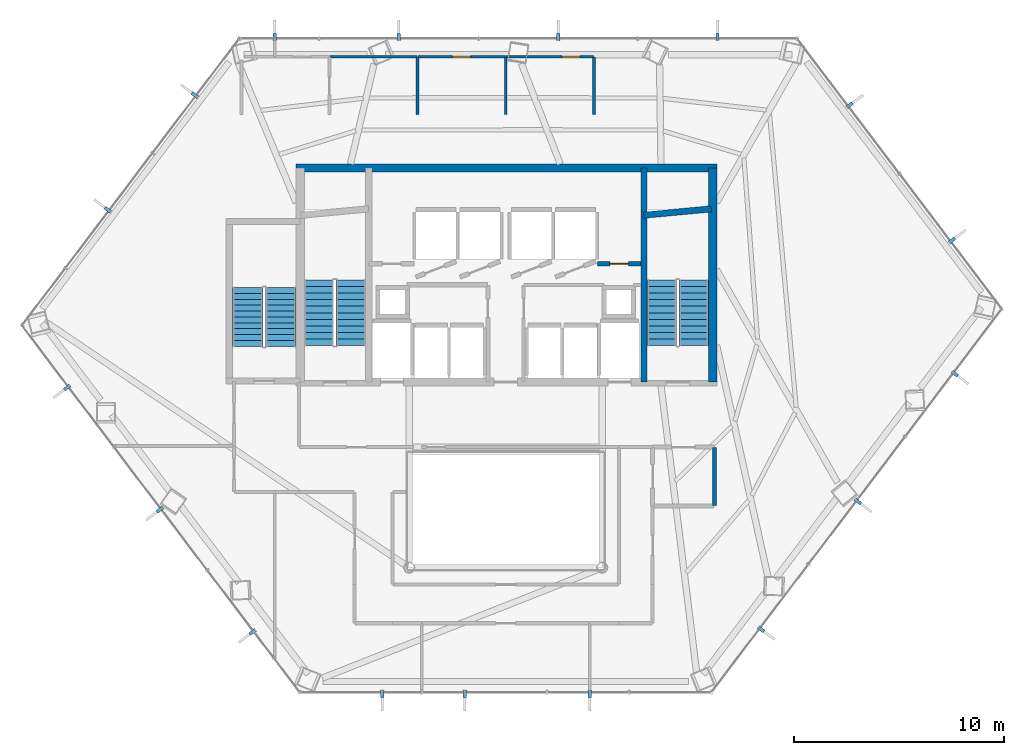
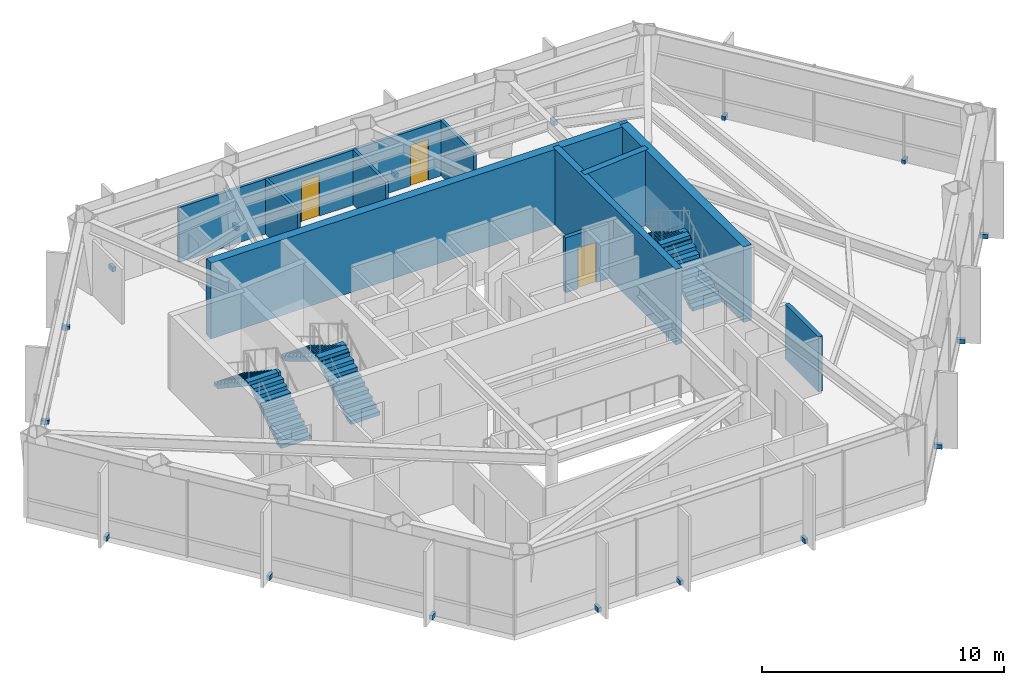
# One storey, part 25 of 26: 17 discrete accessories, 12 walls, 6 stair flights, 3 doors, 3 openings, 3 elements without a shape of their own.
"""IFC4 building model written with IfcOpenShell, lengths in metres."""

from ifc_helpers import new_model, si_unit, direction, frame, frame_2d, origin, origin_2d, place, context, subcontext, project, spatial, polyline, rectangle, outline, extrude, material, layer, layer_set, type_object, element, fill, aggregate, save


model = new_model("IFC4")

# Units and contexts
model_context = context("Model", 3, precision=1e-05, world=origin(), true_north=direction((0.0, 1.0)))
body_context = subcontext(model_context, "Body", "Model", "MODEL_VIEW")
ifc_project = project(units=[si_unit("LENGTHUNIT", "METRE"), si_unit("AREAUNIT", "SQUARE_METRE"), si_unit("VOLUMEUNIT", "CUBIC_METRE"), si_unit("PLANEANGLEUNIT", "RADIAN"), si_unit("MASSUNIT", "GRAM", prefix="KILO")], contexts=[model_context])

# Site, building, storey
site_placement = place(None, origin())
site = spatial("IfcSite", under=ifc_project, at=site_placement, CompositionType="ELEMENT")
building_placement = place(site_placement, origin())
building = spatial("IfcBuilding", under=site, at=building_placement, Name="Zarrinselat Tower", CompositionType="ELEMENT")
storey_placement = place(building_placement, frame((0.0, 0.0, 92.820068359375)))
storey = spatial("IfcBuildingStorey", under=building, at=storey_placement, Name="L22", CompositionType="ELEMENT", Elevation=92.820068359375)

# Wall
ifc_material_1 = material(Name="Concrete C40/50", Category="concrete")
ifc_layer_1 = layer(ifc_material_1, 0.18994140625)
ifc_layer_set_1 = layer_set([ifc_layer_1], Name="Concrete C40/50")
wall_type_1 = type_object("IfcWallType", Name="WAL-PART-EI120", PredefinedType="PARTITIONING", material=ifc_layer_set_1)
wall_1_placement = place(storey_placement, frame((48.35009765625, 27.3701171875, 0.0), z_axis=(0.0, 0.0, 1.0), x_axis=(0.0, 1.0, 0.0)))
element("IfcWall", 1, at=wall_1_placement, inside=storey, type_object=wall_type_1, Name="L22 Partition Wall 15", PredefinedType="PARTITIONING", context=body_context, shape_type="SweptSolid", body=[
    extrude(rectangle(XDim=2.759765625, YDim=0.18994140625, at=frame_2d((1.3798828125, 0.0))), origin(), (0.0, 0.0, 1.0), 2.77685546875),
])

# Wall, opening, door
ifc_material_2 = material(Name="Concrete C40/50", Category="concrete")
ifc_layer_2 = layer(ifc_material_2, 0.199951171875)
ifc_layer_set_2 = layer_set([ifc_layer_2], Name="Concrete C40/50")
wall_type_2 = type_object("IfcWallType", Name="WAL-PART-PLANT", PredefinedType="PARTITIONING", material=ifc_layer_set_2)
wall_2_placement = place(storey_placement, frame((42.764892578125, 38.889892578125, 0.0), z_axis=(0.0, 0.0, 1.0), x_axis=(1.0, 0.0, 0.0)))
wall_2 = element("IfcWall", 2, at=wall_2_placement, inside=storey, type_object=wall_type_2, Name="L22 Partition Wall 4", PredefinedType="PARTITIONING", context=body_context, shape_type="SweptSolid", body=[
    extrude(rectangle(XDim=2.070068359375, YDim=0.199951171875, at=frame_2d((1.03515625, 0.0))), origin(), (0.0, 0.0, 1.0), 2.77685546875),
])
opening_1_placement = place(wall_2_placement, frame((0.594970703125, 0.0, 0.0)))
opening_1 = element("IfcOpeningElement", 3, at=opening_1_placement, cuts=wall_2, Name="Opening ID-03", PredefinedType="OPENING", context=body_context, shape_type="SweptSolid", body=[
    extrude(rectangle(XDim=0.8798828125, YDim=2.050048828125, at=frame_2d((0.43994140625, 1.02490234375))), frame((0.0, 0.10986328125, 0.0), z_axis=(0.0, -1.0, 0.0), x_axis=(1.0, 0.0, 0.0)), (0.0, 0.0, 1.0), 0.219970703125),
])
ifc_material_3 = material(Name="Steel S355J2", Category="steel")
door_type_1 = type_object("IfcDoorType", Name="DR-INT-FD60-S", OperationType="NOTDEFINED", PredefinedType="DOOR", material=ifc_material_3)
door_1_placement = place(opening_1_placement, origin())
door_1 = element("IfcDoor", 4, at=door_1_placement, inside=storey, type_object=door_type_1, Name="L22 Interior Door P4", OperationType="SINGLE_SWING_RIGHT", OverallHeight=2.050048828125, OverallWidth=0.8798828125, PredefinedType="DOOR", context=body_context, shape_type="SweptSolid", body=[
    extrude(rectangle(XDim=0.8798828125, YDim=2.050048828125, at=frame_2d((0.43994140625, 1.02490234375))), frame((0.0, 0.02490234375, 0.0), z_axis=(0.0, -1.0, 0.0), x_axis=(1.0, 0.0, 0.0)), (0.0, 0.0, 1.0), 0.050048828125),
])
fill(opening_1, door_1)

# Walls
ifc_material_4 = material(Name="Fire-Rated Gypsum Board Partition", Category="gypsum")
ifc_layer_3 = layer(ifc_material_4, 0.135009765625)
ifc_layer_set_3 = layer_set([ifc_layer_3], Name="Fire-Rated Gypsum Board Partition")
wall_type_3 = type_object("IfcWallType", Name="WAL-PART-WET", PredefinedType="PARTITIONING", material=ifc_layer_set_3)
wall_3_placement = place(storey_placement, frame((34.199951171875, 46.0, 0.0), z_axis=(0.0, 0.0, 1.0), x_axis=(0.0, 1.0, 0.0)))
element("IfcWall", 5, at=wall_3_placement, inside=storey, type_object=wall_type_3, Name="L22 Partition Wall 38", PredefinedType="PARTITIONING", context=body_context, shape_type="SweptSolid", body=[
    extrude(rectangle(XDim=2.72998046875, YDim=0.135009765625, at=frame_2d((1.364990234375, 0.0))), origin(), (0.0, 0.0, 1.0), 2.77685546875),
])
wall_4_placement = place(storey_placement, frame((30.02001953125, 48.75, 0.0), z_axis=(0.0, 0.0, 1.0), x_axis=(1.0, 0.0, 0.0)))
element("IfcWall", 6, at=wall_4_placement, inside=storey, type_object=wall_type_3, Name="L22 Partition Wall 39", PredefinedType="PARTITIONING", context=body_context, shape_type="SweptSolid", body=[
    extrude(rectangle(XDim=4.159912109375, YDim=0.135009765625, at=frame_2d((2.080078125, 0.0))), origin(), (0.0, 0.0, 1.0), 2.77685546875),
])
wall_5_placement = place(storey_placement, frame((38.39990234375, 46.0, 0.0), z_axis=(0.0, 0.0, 1.0), x_axis=(0.0, 1.0, 0.0)))
element("IfcWall", 7, at=wall_5_placement, inside=storey, type_object=wall_type_3, Name="L22 Partition Wall 40", PredefinedType="PARTITIONING", context=body_context, shape_type="SweptSolid", body=[
    extrude(rectangle(XDim=2.72998046875, YDim=0.135009765625, at=frame_2d((1.364990234375, 0.0))), origin(), (0.0, 0.0, 1.0), 2.77685546875),
])

# Wall, opening, door
wall_6_placement = place(storey_placement, frame((34.219970703125, 48.75, 0.0), z_axis=(0.0, 0.0, 1.0), x_axis=(1.0, 0.0, 0.0)))
wall_6 = element("IfcWall", 8, at=wall_6_placement, inside=storey, type_object=wall_type_3, Name="L22 Partition Wall 41", PredefinedType="PARTITIONING", context=body_context, shape_type="SweptSolid", body=[
    extrude(rectangle(XDim=4.159912109375, YDim=0.135009765625, at=frame_2d((2.080078125, 0.0))), origin(), (0.0, 0.0, 1.0), 2.77685546875),
])
opening_2_placement = place(wall_6_placement, frame((1.64990234375, 0.0, 0.0)))
opening_2 = element("IfcOpeningElement", 9, at=opening_2_placement, cuts=wall_6, Name="Opening ID-06", PredefinedType="OPENING", context=body_context, shape_type="SweptSolid", body=[
    extrude(rectangle(XDim=0.860107421875, YDim=2.050048828125, at=frame_2d((0.43017578125, 1.02490234375))), frame((0.0, 0.077392578125, 0.0), z_axis=(0.0, -1.0, 0.0), x_axis=(1.0, 0.0, 0.0)), (0.0, 0.0, 1.0), 0.155029296875),
])
ifc_material_5 = material(Name="Extruded Aluminium Alloy EN AW-6063 T6", Category="aluminium")
door_type_2 = type_object("IfcDoorType", Name="DR-INT-WET-900", OperationType="NOTDEFINED", PredefinedType="DOOR", material=ifc_material_5)
door_2_placement = place(opening_2_placement, origin())
door_2 = element("IfcDoor", 10, at=door_2_placement, inside=storey, type_object=door_type_2, Name="L22 Interior Door P41", OperationType="SINGLE_SWING_RIGHT", OverallHeight=2.050048828125, OverallWidth=0.860107421875, PredefinedType="DOOR", context=body_context, shape_type="SweptSolid", body=[
    extrude(rectangle(XDim=0.860107421875, YDim=2.050048828125, at=frame_2d((0.43017578125, 1.02490234375))), frame((0.0, 0.02490234375, 0.0), z_axis=(0.0, -1.0, 0.0), x_axis=(1.0, 0.0, 0.0)), (0.0, 0.0, 1.0), 0.050048828125),
])
fill(opening_2, door_2)

wall_7_placement = place(storey_placement, frame((38.419921875, 48.75, 0.0), z_axis=(0.0, 0.0, 1.0), x_axis=(1.0, 0.0, 0.0)))
wall_7 = element("IfcWall", 11, at=wall_7_placement, inside=storey, type_object=wall_type_3, Name="L22 Partition Wall 42", PredefinedType="PARTITIONING", context=body_context, shape_type="SweptSolid", body=[
    extrude(rectangle(XDim=4.16015625, YDim=0.135009765625, at=frame_2d((2.080078125, 0.0))), origin(), (0.0, 0.0, 1.0), 2.77685546875),
])
opening_3_placement = place(wall_7_placement, frame((2.64990234375, 0.0, 0.0)))
opening_3 = element("IfcOpeningElement", 12, at=opening_3_placement, cuts=wall_7, Name="Opening ID-06", PredefinedType="OPENING", context=body_context, shape_type="SweptSolid", body=[
    extrude(rectangle(XDim=0.860107421875, YDim=2.050048828125, at=frame_2d((0.43017578125, 1.02490234375))), frame((0.0, 0.077392578125, 0.0), z_axis=(0.0, -1.0, 0.0), x_axis=(1.0, 0.0, 0.0)), (0.0, 0.0, 1.0), 0.155029296875),
])
door_3_placement = place(opening_3_placement, origin())
door_3 = element("IfcDoor", 13, at=door_3_placement, inside=storey, type_object=door_type_2, Name="L22 Interior Door P42", OperationType="SINGLE_SWING_LEFT", OverallHeight=2.050048828125, OverallWidth=0.860107421875, PredefinedType="DOOR", context=body_context, shape_type="SweptSolid", body=[
    extrude(rectangle(XDim=0.860107421875, YDim=2.050048828125, at=frame_2d((0.43017578125, 1.02490234375))), frame((0.0, 0.02490234375, 0.0), z_axis=(0.0, -1.0, 0.0), x_axis=(1.0, 0.0, 0.0)), (0.0, 0.0, 1.0), 0.050048828125),
])
fill(opening_3, door_3)

# Walls
wall_8_placement = place(storey_placement, frame((42.60009765625, 46.0, 0.0), z_axis=(0.0, 0.0, 1.0), x_axis=(0.0, 1.0, 0.0)))
element("IfcWall", 14, at=wall_8_placement, inside=storey, type_object=wall_type_3, Name="L22 Partition Wall 43", PredefinedType="PARTITIONING", context=body_context, shape_type="SweptSolid", body=[
    extrude(rectangle(XDim=2.72998046875, YDim=0.135009765625, at=frame_2d((1.364990234375, 0.0))), origin(), (0.0, 0.0, 1.0), 2.77685546875),
])
ifc_material_6 = material(Name="Concrete C40/50", Category="concrete")
ifc_layer_4 = layer(ifc_material_6, 0.300048828125)
ifc_layer_set_4 = layer_set([ifc_layer_4], Name="Concrete C40/50")
wall_type_4 = type_object("IfcWallType", Name="WAL-SHEAR-300", PredefinedType="SHEAR", material=ifc_layer_set_4)
wall_9_placement = place(storey_placement, frame((44.989990234375, 33.25, 0.0), z_axis=(0.0, 0.0, 1.0), x_axis=(0.0, 1.0, 0.0)))
element("IfcWall", 15, at=wall_9_placement, inside=storey, type_object=wall_type_4, Name="L22 Core Shear Wall ST2W", PredefinedType="SHEAR", context=body_context, shape_type="SweptSolid", body=[
    extrude(rectangle(XDim=10.199951171875, YDim=0.300048828125, at=frame_2d((5.10009765625, 0.0))), origin(), (0.0, 0.0, 1.0), 3.81982421875),
])
wall_10_placement = place(storey_placement, frame((44.97998046875, 41.199951171875, 0.0), z_axis=(0.0, 0.0, 1.0), x_axis=(0.995686468965, 0.09278176286, 0.0)))
element("IfcWall", 16, at=wall_10_placement, inside=storey, type_object=wall_type_4, Name="L22 Stair 2 North Shaft Wall", PredefinedType="SHEAR", context=body_context, shape_type="SweptSolid", body=[
    extrude(rectangle(XDim=3.23388671875, YDim=0.300048828125, at=frame_2d((1.616943359375, 0.0))), origin(), (0.0, 0.0, 1.0), 3.81982421875),
])
ifc_material_7 = material(Name="Concrete C60/75", Category="concrete")
ifc_layer_5 = layer(ifc_material_7, 0.39990234375)
ifc_layer_set_5 = layer_set([ifc_layer_5], Name="Concrete C60/75")
wall_type_5 = type_object("IfcWallType", Name="WAL-SHEAR-400", PredefinedType="SHEAR", material=ifc_layer_set_5)
wall_11_placement = place(storey_placement, frame((28.39990234375, 43.449951171875, 0.0), z_axis=(0.0, 0.0, 1.0), x_axis=(1.0, 0.0, 0.0)))
element("IfcWall", 17, at=wall_11_placement, inside=storey, type_object=wall_type_5, Name="L22 North Core Shear Wall", PredefinedType="SHEAR", context=body_context, shape_type="SweptSolid", body=[
    extrude(rectangle(XDim=20.06005859375, YDim=0.39990234375, at=frame_2d((10.030029296875, 0.0))), origin(), (0.0, 0.0, 1.0), 3.81982421875),
])
wall_12_placement = place(storey_placement, frame((48.260009765625, 33.25, 0.0), z_axis=(0.0, 0.0, 1.0), x_axis=(0.0, 1.0, 0.0)))
element("IfcWall", 18, at=wall_12_placement, inside=storey, type_object=wall_type_5, Name="L22 Core Shear Wall E", PredefinedType="SHEAR", context=body_context, shape_type="SweptSolid", body=[
    extrude(rectangle(XDim=10.199951171875, YDim=0.39990234375, at=frame_2d((5.10009765625, 0.0))), origin(), (0.0, 0.0, 1.0), 3.81982421875),
])

# Stair, stair flights
ifc_material_8 = material(Name="Concrete C40/50", Category="concrete")
stair_type_1 = type_object("IfcStairType", Name="STR-CORE-145", PredefinedType="HALF_TURN_STAIR", material=ifc_material_8)
stair_1_placement = place(storey_placement, origin())
stair_1 = element("IfcStair", 19, at=stair_1_placement, inside=storey, type_object=stair_type_1, Name="L22 Podium & Mid-Tower Exit Stair 3", PredefinedType="HALF_TURN_STAIR")
ifc_material_9 = material(Name="Concrete C40/50", Category="concrete")
stair_flight_type_1 = type_object("IfcStairFlightType", Name="STR-FLT-145", PredefinedType="STRAIGHT", material=ifc_material_9)
stair_flight_1_placement = place(storey_placement, frame((27.675048828125, 34.949951171875, 0.0), z_axis=(0.0, 0.0, 1.0), x_axis=(0.0, 1.0, 0.0)))
stair_flight_1 = element("IfcStairFlight", 20, at=stair_flight_1_placement, type_object=stair_flight_type_1, Name="ST-3 flight 1", NumberOfRisers=11, NumberOfTreads=10, PredefinedType="STRAIGHT", RiserHeight=0.185454545, TreadLength=0.28, context=body_context, shape_type="SweptSolid", body=[
    extrude(outline(polyline([(0.0, 0.0), (0.0, 0.185546875), (0.280029296875, 0.185546875), (0.280029296875, 0.370849609375), (0.56005859375, 0.370849609375), (0.56005859375, 0.556396484375), (0.840087890625, 0.556396484375), (0.840087890625, 0.74169921875), (1.1201171875, 0.74169921875), (1.1201171875, 0.92724609375), (1.39990234375, 0.92724609375), (1.39990234375, 1.11279296875), (1.679931640625, 1.11279296875), (1.679931640625, 1.298095703125), (1.9599609375, 1.298095703125), (1.9599609375, 1.483642578125), (2.239990234375, 1.483642578125), (2.239990234375, 1.669189453125), (2.52001953125, 1.669189453125), (2.52001953125, 1.8544921875), (2.800048828125, 1.8544921875), (2.800048828125, 2.0400390625), (2.800048828125, 1.6748046875), (0.271484375, 0.0), (0.0, 0.0)])), frame((0.0, 0.72509765625, 0.0), z_axis=(0.0, -1.0, 0.0), x_axis=(1.0, 0.0, 0.0)), (0.0, 0.0, 1.0), 1.449951171875),
])
stair_flight_2_placement = place(storey_placement, frame((26.10498046875, 37.75, 2.0400390625), z_axis=(0.0, 0.0, 1.0), x_axis=(0.0, -1.0, 0.0)))
stair_flight_2 = element("IfcStairFlight", 21, at=stair_flight_2_placement, type_object=stair_flight_type_1, Name="ST-3 flight 2", NumberOfRisers=11, NumberOfTreads=10, PredefinedType="STRAIGHT", RiserHeight=0.185454545, TreadLength=0.28, context=body_context, shape_type="SweptSolid", body=[
    extrude(outline(polyline([(0.0, 0.0), (0.0, 0.185546875), (0.280029296875, 0.185546875), (0.280029296875, 0.370849609375), (0.56005859375, 0.370849609375), (0.56005859375, 0.556396484375), (0.840087890625, 0.556396484375), (0.840087890625, 0.74169921875), (1.1201171875, 0.74169921875), (1.1201171875, 0.92724609375), (1.39990234375, 0.92724609375), (1.39990234375, 1.11279296875), (1.679931640625, 1.11279296875), (1.679931640625, 1.298095703125), (1.9599609375, 1.298095703125), (1.9599609375, 1.483642578125), (2.239990234375, 1.483642578125), (2.239990234375, 1.669189453125), (2.52001953125, 1.669189453125), (2.52001953125, 1.8544921875), (2.800048828125, 1.8544921875), (2.800048828125, 2.0400390625), (2.800048828125, 1.6748046875), (0.271484375, 0.0), (0.0, 0.0)])), frame((0.0, 0.72509765625, 0.0), z_axis=(0.0, -1.0, 0.0), x_axis=(1.0, 0.0, 0.0)), (0.0, 0.0, 1.0), 1.449951171875),
])
aggregate(stair_1, [stair_flight_1, stair_flight_2])

ifc_material_10 = material(Name="Concrete C40/50", Category="concrete")
stair_type_2 = type_object("IfcStairType", Name="STR-CORE-155", PredefinedType="HALF_TURN_STAIR", material=ifc_material_10)
stair_2_placement = place(storey_placement, origin())
stair_2 = element("IfcStair", 22, at=stair_2_placement, inside=storey, type_object=stair_type_2, Name="L22 Core Exit Stair 1", PredefinedType="HALF_TURN_STAIR")
ifc_material_11 = material(Name="Concrete C40/50", Category="concrete")
stair_flight_type_2 = type_object("IfcStairFlightType", Name="STR-FLT-155", PredefinedType="STRAIGHT", material=ifc_material_11)
stair_flight_3_placement = place(storey_placement, frame((31.02001953125, 35.0, 0.0), z_axis=(0.0, 0.0, 1.0), x_axis=(0.0, 1.0, 0.0)))
stair_flight_3 = element("IfcStairFlight", 23, at=stair_flight_3_placement, type_object=stair_flight_type_2, Name="ST-1 flight 1", NumberOfRisers=11, NumberOfTreads=10, PredefinedType="STRAIGHT", RiserHeight=0.185454545, TreadLength=0.31, context=body_context, shape_type="SweptSolid", body=[
    extrude(outline(polyline([(0.0, 0.0), (0.0, 0.185546875), (0.31005859375, 0.185546875), (0.31005859375, 0.370849609375), (0.6201171875, 0.370849609375), (0.6201171875, 0.556396484375), (0.929931640625, 0.556396484375), (0.929931640625, 0.74169921875), (1.239990234375, 0.74169921875), (1.239990234375, 0.92724609375), (1.550048828125, 0.92724609375), (1.550048828125, 1.11279296875), (1.860107421875, 1.11279296875), (1.860107421875, 1.298095703125), (2.169921875, 1.298095703125), (2.169921875, 1.483642578125), (2.47998046875, 1.483642578125), (2.47998046875, 1.669189453125), (2.7900390625, 1.669189453125), (2.7900390625, 1.8544921875), (3.10009765625, 1.8544921875), (3.10009765625, 2.0400390625), (3.10009765625, 1.679931640625), (0.2919921875, 0.0), (0.0, 0.0)])), frame((0.0, 0.699951171875, 0.0), z_axis=(0.0, -1.0, 0.0), x_axis=(1.0, 0.0, 0.0)), (0.0, 0.0, 1.0), 1.39990234375),
])
stair_flight_4_placement = place(storey_placement, frame((29.5, 38.10009765625, 2.0400390625), z_axis=(0.0, 0.0, 1.0), x_axis=(0.0, -1.0, 0.0)))
stair_flight_4 = element("IfcStairFlight", 24, at=stair_flight_4_placement, type_object=stair_flight_type_2, Name="ST-1 flight 2", NumberOfRisers=11, NumberOfTreads=10, PredefinedType="STRAIGHT", RiserHeight=0.185454545, TreadLength=0.31, context=body_context, shape_type="SweptSolid", body=[
    extrude(outline(polyline([(0.0, 0.0), (0.0, 0.185546875), (0.31005859375, 0.185546875), (0.31005859375, 0.370849609375), (0.6201171875, 0.370849609375), (0.6201171875, 0.556396484375), (0.929931640625, 0.556396484375), (0.929931640625, 0.74169921875), (1.239990234375, 0.74169921875), (1.239990234375, 0.92724609375), (1.550048828125, 0.92724609375), (1.550048828125, 1.11279296875), (1.860107421875, 1.11279296875), (1.860107421875, 1.298095703125), (2.169921875, 1.298095703125), (2.169921875, 1.483642578125), (2.47998046875, 1.483642578125), (2.47998046875, 1.669189453125), (2.7900390625, 1.669189453125), (2.7900390625, 1.8544921875), (3.10009765625, 1.8544921875), (3.10009765625, 2.0400390625), (3.10009765625, 1.679931640625), (0.2919921875, 0.0), (0.0, 0.0)])), frame((0.0, 0.699951171875, 0.0), z_axis=(0.0, -1.0, 0.0), x_axis=(1.0, 0.0, 0.0)), (0.0, 0.0, 1.0), 1.39990234375),
])
aggregate(stair_2, [stair_flight_3, stair_flight_4])

stair_3_placement = place(storey_placement, origin())
stair_3 = element("IfcStair", 25, at=stair_3_placement, inside=storey, type_object=stair_type_2, Name="L22 Core Exit Stair 2", PredefinedType="HALF_TURN_STAIR")
stair_flight_5_placement = place(storey_placement, frame((47.360107421875, 35.0, 0.0), z_axis=(0.0, 0.0, 1.0), x_axis=(0.0, 1.0, 0.0)))
stair_flight_5 = element("IfcStairFlight", 26, at=stair_flight_5_placement, type_object=stair_flight_type_2, Name="ST-2 flight 1", NumberOfRisers=11, NumberOfTreads=10, PredefinedType="STRAIGHT", RiserHeight=0.185454545, TreadLength=0.31, context=body_context, shape_type="SweptSolid", body=[
    extrude(outline(polyline([(0.0, 0.0), (0.0, 0.185546875), (0.31005859375, 0.185546875), (0.31005859375, 0.370849609375), (0.6201171875, 0.370849609375), (0.6201171875, 0.556396484375), (0.929931640625, 0.556396484375), (0.929931640625, 0.74169921875), (1.239990234375, 0.74169921875), (1.239990234375, 0.92724609375), (1.550048828125, 0.92724609375), (1.550048828125, 1.11279296875), (1.860107421875, 1.11279296875), (1.860107421875, 1.298095703125), (2.169921875, 1.298095703125), (2.169921875, 1.483642578125), (2.47998046875, 1.483642578125), (2.47998046875, 1.669189453125), (2.7900390625, 1.669189453125), (2.7900390625, 1.8544921875), (3.10009765625, 1.8544921875), (3.10009765625, 2.0400390625), (3.10009765625, 1.679931640625), (0.2919921875, 0.0), (0.0, 0.0)])), frame((0.0, 0.699951171875, 0.0), z_axis=(0.0, -1.0, 0.0), x_axis=(1.0, 0.0, 0.0)), (0.0, 0.0, 1.0), 1.39990234375),
])
stair_flight_6_placement = place(storey_placement, frame((45.840087890625, 38.10009765625, 2.0400390625), z_axis=(0.0, 0.0, 1.0), x_axis=(0.0, -1.0, 0.0)))
stair_flight_6 = element("IfcStairFlight", 27, at=stair_flight_6_placement, type_object=stair_flight_type_2, Name="ST-2 flight 2", NumberOfRisers=11, NumberOfTreads=10, PredefinedType="STRAIGHT", RiserHeight=0.185454545, TreadLength=0.31, context=body_context, shape_type="SweptSolid", body=[
    extrude(outline(polyline([(0.0, 0.0), (0.0, 0.185546875), (0.31005859375, 0.185546875), (0.31005859375, 0.370849609375), (0.6201171875, 0.370849609375), (0.6201171875, 0.556396484375), (0.929931640625, 0.556396484375), (0.929931640625, 0.74169921875), (1.239990234375, 0.74169921875), (1.239990234375, 0.92724609375), (1.550048828125, 0.92724609375), (1.550048828125, 1.11279296875), (1.860107421875, 1.11279296875), (1.860107421875, 1.298095703125), (2.169921875, 1.298095703125), (2.169921875, 1.483642578125), (2.47998046875, 1.483642578125), (2.47998046875, 1.669189453125), (2.7900390625, 1.669189453125), (2.7900390625, 1.8544921875), (3.10009765625, 1.8544921875), (3.10009765625, 2.0400390625), (3.10009765625, 1.679931640625), (0.2919921875, 0.0), (0.0, 0.0)])), frame((0.0, 0.699951171875, 0.0), z_axis=(0.0, -1.0, 0.0), x_axis=(1.0, 0.0, 0.0)), (0.0, 0.0, 1.0), 1.39990234375),
])
aggregate(stair_3, [stair_flight_5, stair_flight_6])

# Discrete accessories
ifc_material_12 = material(Name="Steel S355J2", Category="steel")
discrete_accessory_type = type_object("IfcDiscreteAccessoryType", Name="ACC-FIN-BRACKET", PredefinedType="BRACKET", material=ifc_material_12)
for number, where, z_axis, x_axis, name in (
    (28, (48.493408203125, 49.686767578125, -0.05029296875), (0.0, 0.0, 1.0), (0.0, 1.0, 0.0), "L22 Fin Fixing Bracket CW-L22-E01-01"),
    (29, (40.897216796875, 49.686767578125, -0.05029296875), (0.0, 0.0, 1.0), (0.0, 1.0, 0.0), "L22 Fin Fixing Bracket CW-L22-E01-03"),
    (30, (33.30078125, 49.686767578125, -0.05029296875), (0.0, 0.0, 1.0), (0.0, 1.0, 0.0), "L22 Fin Fixing Bracket CW-L22-E01-05"),
    (31, (27.39990234375, 49.686767578125, -0.05029296875), (0.0, 0.0, 1.0), (0.0, 1.0, 0.0), "L22 Fin Fixing Bracket CW-L22-E01-07"),
    (32, (23.577392578125, 46.9248046875, -0.05029296875), (0.0, 0.0, 1.0), (-0.797092658414, 0.603857014451, 0.0), "L22 Fin Fixing Bracket CW-L22-E02-01"),
    (33, (19.4345703125, 41.456298828125, -0.05029296875), (0.0, 0.0, 1.0), (-0.797092658414, 0.603857014451, 0.0), "L22 Fin Fixing Bracket CW-L22-E02-03"),
    (34, (17.499755859375, 32.989013671875, -0.05029296875), (0.0, 0.0, 1.0), (-0.797093079006, -0.603856459269, 0.0), "L22 Fin Fixing Bracket CW-L22-E03-01"),
    (35, (21.915283203125, 27.16064453125, -0.05029296875), (0.0, 0.0, 1.0), (-0.797093079006, -0.603856459269, 0.0), "L22 Fin Fixing Bracket CW-L22-E03-03"),
    (36, (26.330810546875, 21.33203125, -0.05029296875), (0.0, 0.0, 1.0), (-0.797093079006, -0.603856459269, 0.0), "L22 Fin Fixing Bracket CW-L22-E03-05"),
    (37, (32.5166015625, 18.389892578125, -0.05029296875), (0.0, 0.0, 1.0), (0.0, -1.0, 0.0), "L22 Fin Fixing Bracket CW-L22-E04-01"),
    (38, (36.43896484375, 18.389892578125, -0.05029296875), (0.0, 0.0, 1.0), (0.0, -1.0, 0.0), "L22 Fin Fixing Bracket CW-L22-E04-03"),
    (39, (42.39990234375, 18.389892578125, -0.05029296875), (0.0, 0.0, 1.0), (0.0, -1.0, 0.0), "L22 Fin Fixing Bracket CW-L22-E04-05"),
    (40, (50.56884765625, 21.463623046875, -0.05029296875), (0.0, 0.0, 1.0), (0.797093674981, -0.603855672579, 0.0), "L22 Fin Fixing Bracket CW-L22-E05-01"),
    (41, (55.18359375, 27.555419921875, -0.05029296875), (0.0, 0.0, 1.0), (0.797093674981, -0.603855672579, 0.0), "L22 Fin Fixing Bracket CW-L22-E05-03"),
    (42, (59.798583984375, 33.64697265625, -0.05029296875), (0.0, 0.0, 1.0), (0.797093674981, -0.603855672579, 0.0), "L22 Fin Fixing Bracket CW-L22-E05-05"),
    (43, (59.66650390625, 39.997802734375, -0.05029296875), (0.0, 0.0, 1.0), (0.797091787141, 0.603858164533, 0.0), "L22 Fin Fixing Bracket CW-L22-E06-01"),
    (44, (54.787109375, 46.438720703125, -0.05029296875), (0.0, 0.0, 1.0), (0.797091787141, 0.603858164533, 0.0), "L22 Fin Fixing Bracket CW-L22-E06-03"),
):
    element("IfcDiscreteAccessory", number, at=place(storey_placement, frame(where, z_axis=z_axis, x_axis=x_axis)), inside=storey, type_object=discrete_accessory_type, Name=name, PredefinedType="BRACKET", context=body_context, shape_type="SweptSolid", body=[
        extrude(rectangle(XDim=0.340087890625, YDim=0.159912109375, at=origin_2d()), origin(), (0.0, 0.0, 1.0), 0.219970703125),
    ])

save(model, "model.ifc")
